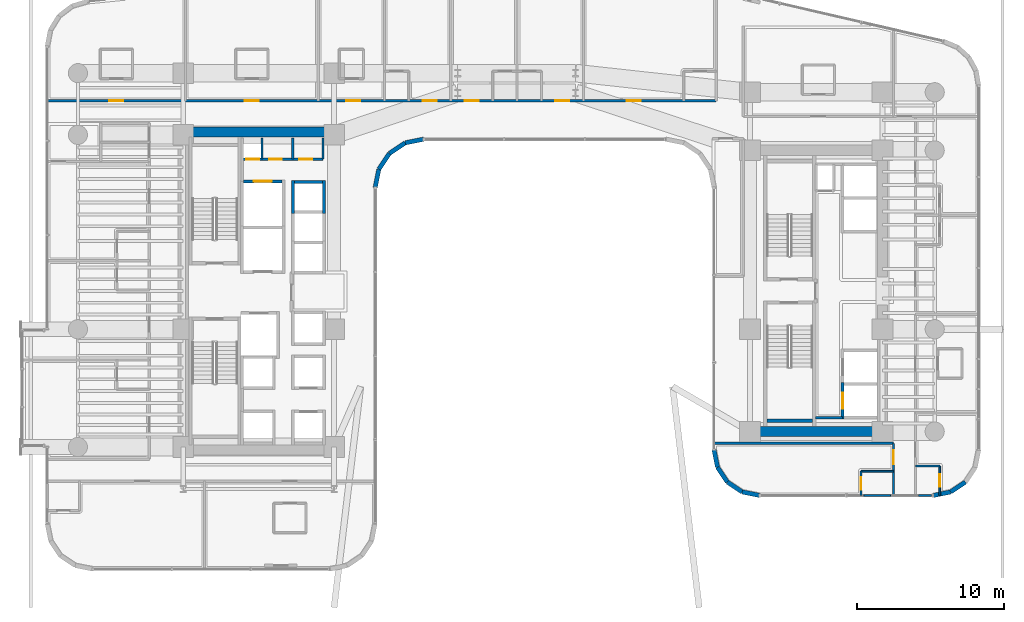
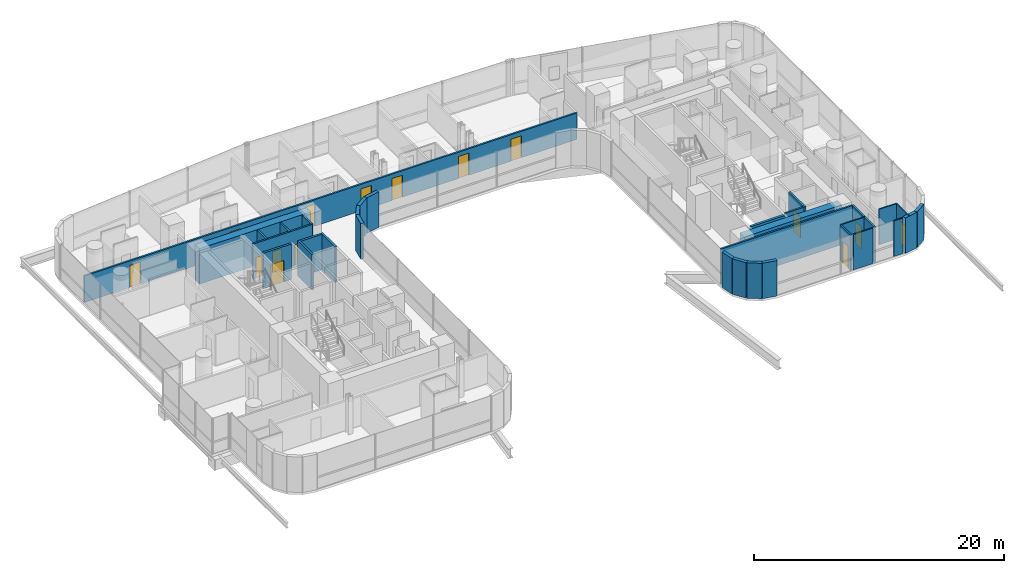
# One storey, part 40 of 50: 32 walls, 15 doors, 15 openings.
"""IFC4 building model written with IfcOpenShell, lengths in metres."""

from ifc_helpers import new_model, si_unit, direction, frame, frame_2d, origin, place, context, subcontext, project, spatial, rectangle, extrude, material, layer, layer_set, type_object, element, fill, save


model = new_model("IFC4")

# Units and contexts
model_context = context("Model", 3, precision=1e-05, world=origin(), true_north=direction((0.0, 1.0)))
body_context = subcontext(model_context, "Body", "Model", "MODEL_VIEW")
ifc_project = project(units=[si_unit("LENGTHUNIT", "METRE"), si_unit("AREAUNIT", "SQUARE_METRE"), si_unit("VOLUMEUNIT", "CUBIC_METRE"), si_unit("PLANEANGLEUNIT", "RADIAN"), si_unit("MASSUNIT", "GRAM", prefix="KILO")], contexts=[model_context])

# Site, building, storey
site_placement = place(None, origin())
site = spatial("IfcSite", under=ifc_project, at=site_placement, CompositionType="ELEMENT")
building_placement = place(site_placement, origin())
building = spatial("IfcBuilding", under=site, at=building_placement, Name="Valdorenza Pilgrim Sanctuary Tower", CompositionType="ELEMENT")
storey_placement = place(building_placement, frame((0.0, 0.0, 26.0)))
storey = spatial("IfcBuildingStorey", under=building, at=storey_placement, Name="L05", CompositionType="ELEMENT", Elevation=26.0)

# Wall, openings, doors
ifc_material_1 = material(Name="Acoustic twin-stud gypsum partition", Category="gypsum")
ifc_layer_1 = layer(ifc_material_1, 0.159912109375, Name="Acoustic twin-stud gypsum partition")
ifc_layer_set_1 = layer_set([ifc_layer_1], Name="Acoustic twin-stud gypsum partition")
wall_type_1 = type_object("IfcWallType", Name="WAL-COR-160", PredefinedType="PARTITIONING", material=ifc_layer_set_1)
wall_1_placement = place(storey_placement, frame((-18.64990234375, 8.949951171875, 0.0), z_axis=(0.0, 0.0, 1.0), x_axis=(1.0, 0.0, 0.0)))
wall_1 = element("IfcWall", 1, at=wall_1_placement, inside=storey, type_object=wall_type_1, Name="L05 Core A North Service South Wall", PredefinedType="PARTITIONING", context=body_context, shape_type="SweptSolid", body=[
    extrude(rectangle(XDim=5.5, YDim=0.159912109375, at=frame_2d((2.75, 0.0))), origin(), (0.0, 0.0, 1.0), 3.4599609375),
])
opening_1_placement = place(wall_1_placement, frame((0.300048828125, 0.0, 0.0)))
opening_1 = element("IfcOpeningElement", 2, at=opening_1_placement, cuts=wall_1, Name="Opening DR-RS1", PredefinedType="OPENING", context=body_context, shape_type="SweptSolid", body=[
    extrude(rectangle(XDim=0.85009765625, YDim=2.050048828125, at=frame_2d((0.425048828125, 1.02490234375))), frame((0.0, 0.0947265625, 0.0), z_axis=(0.0, -1.0, 0.0), x_axis=(1.0, 0.0, 0.0)), (0.0, 0.0, 1.0), 0.189697265625),
])
opening_2_placement = place(wall_1_placement, frame((1.85009765625, 0.0, 0.0)))
opening_2 = element("IfcOpeningElement", 3, at=opening_2_placement, cuts=wall_1, Name="Opening DR-RS1", PredefinedType="OPENING", context=body_context, shape_type="SweptSolid", body=[
    extrude(rectangle(XDim=0.85009765625, YDim=2.050048828125, at=frame_2d((0.425048828125, 1.02490234375))), frame((0.0, 0.0947265625, 0.0), z_axis=(0.0, -1.0, 0.0), x_axis=(1.0, 0.0, 0.0)), (0.0, 0.0, 1.0), 0.189697265625),
])
opening_3_placement = place(wall_1_placement, frame((3.89990234375, 0.0, 0.0)))
opening_3 = element("IfcOpeningElement", 4, at=opening_3_placement, cuts=wall_1, Name="Opening DR-RS1", PredefinedType="OPENING", context=body_context, shape_type="SweptSolid", body=[
    extrude(rectangle(XDim=0.85009765625, YDim=2.050048828125, at=frame_2d((0.425048828125, 1.02490234375))), frame((0.0, 0.0947265625, 0.0), z_axis=(0.0, -1.0, 0.0), x_axis=(1.0, 0.0, 0.0)), (0.0, 0.0, 1.0), 0.189697265625),
])
ifc_material_2 = material(Name="Painted galvanized steel", Category="steel")
door_type_1 = type_object("IfcDoorType", Name="DR-RSR-850", OperationType="NOTDEFINED", PredefinedType="DOOR", material=ifc_material_2)
door_1_placement = place(opening_1_placement, origin())
door_1 = element("IfcDoor", 5, at=door_1_placement, inside=storey, type_object=door_type_1, Name="L05 Core Electrical and Telecom Riser Door", OperationType="SINGLE_SWING_LEFT", OverallHeight=2.050048828125, OverallWidth=0.85009765625, PredefinedType="DOOR", context=body_context, shape_type="SweptSolid", body=[
    extrude(rectangle(XDim=0.85009765625, YDim=2.050048828125, at=frame_2d((0.425048828125, 1.02490234375))), frame((0.0, 0.02490234375, 0.0), z_axis=(0.0, -1.0, 0.0), x_axis=(1.0, 0.0, 0.0)), (0.0, 0.0, 1.0), 0.050048828125),
])
fill(opening_1, door_1)
door_2_placement = place(opening_2_placement, origin())
door_2 = element("IfcDoor", 6, at=door_2_placement, inside=storey, type_object=door_type_1, Name="L05 Housekeeping and Clean Linen Room Door", OperationType="SINGLE_SWING_RIGHT", OverallHeight=2.050048828125, OverallWidth=0.85009765625, PredefinedType="DOOR", context=body_context, shape_type="SweptSolid", body=[
    extrude(rectangle(XDim=0.85009765625, YDim=2.050048828125, at=frame_2d((0.425048828125, 1.02490234375))), frame((0.0, 0.02490234375, 0.0), z_axis=(0.0, -1.0, 0.0), x_axis=(1.0, 0.0, 0.0)), (0.0, 0.0, 1.0), 0.050048828125),
])
fill(opening_2, door_2)
door_3_placement = place(opening_3_placement, origin())
door_3 = element("IfcDoor", 7, at=door_3_placement, inside=storey, type_object=door_type_1, Name="L05 Guest Ice and Vending Pantry Door", OperationType="SINGLE_SWING_LEFT", OverallHeight=2.050048828125, OverallWidth=0.85009765625, PredefinedType="DOOR", context=body_context, shape_type="SweptSolid", body=[
    extrude(rectangle(XDim=0.85009765625, YDim=2.050048828125, at=frame_2d((0.425048828125, 1.02490234375))), frame((0.0, 0.02490234375, 0.0), z_axis=(0.0, -1.0, 0.0), x_axis=(1.0, 0.0, 0.0)), (0.0, 0.0, 1.0), 0.050048828125),
])
fill(opening_3, door_3)

# Walls
for number, where, z_axis, x_axis, name in (
    (8, (-13.14990234375, 8.949951171875, 0.0), (0.0, 0.0, 1.0), (0.0, 1.0, 0.0), "L05 Core A North Service East Wall"),
    (9, (-17.300048828125, 8.949951171875, 0.0), (0.0, 0.0, 1.0), (0.0, 1.0, 0.0), "L05 Core Electrical Riser Wall"),
    (10, (-15.199951171875, 8.949951171875, 0.0), (0.0, 0.0, 1.0), (0.0, 1.0, 0.0), "L05 Core A Housekeeping Split B"),
):
    element("IfcWall", number, at=place(storey_placement, frame(where, z_axis=z_axis, x_axis=x_axis)), inside=storey, type_object=wall_type_1, Name=name, PredefinedType="PARTITIONING", context=body_context, shape_type="SweptSolid", body=[
        extrude(rectangle(XDim=1.429931640625, YDim=0.159912109375, at=frame_2d((0.71484375, 0.0))), origin(), (0.0, 0.0, 1.0), 3.4599609375),
    ])
wall_2_placement = place(storey_placement, frame((20.300048828125, -8.60009765625, 0.0), z_axis=(0.0, 0.0, 1.0), x_axis=(1.0, 0.0, 0.0)))
element("IfcWall", 11, at=wall_2_placement, inside=storey, type_object=wall_type_1, Name="L05 Core B Lift Hall South End Wall", PredefinedType="PARTITIONING", context=body_context, shape_type="SweptSolid", body=[
    extrude(rectangle(XDim=1.820068359375, YDim=0.159912109375, at=frame_2d((0.91015625, 0.0))), origin(), (0.0, 0.0, 1.0), 3.4599609375),
])

# Wall, openings, doors
wall_3_placement = place(storey_placement, frame((-31.889892578125, 12.919921875, 0.0), z_axis=(0.0, 0.0, 1.0), x_axis=(1.0, 0.0, 0.0)))
wall_3 = element("IfcWall", 12, at=wall_3_placement, inside=storey, type_object=wall_type_1, Name="L05 North Corridor Wall", PredefinedType="PARTITIONING", context=body_context, shape_type="SweptSolid", body=[
    extrude(rectangle(XDim=45.43994140625, YDim=0.159912109375, at=frame_2d((22.719970703125, 0.0))), origin(), (0.0, 0.0, 1.0), 2.5830078125),
])
opening_4_placement = place(wall_3_placement, frame((4.22509765625, 0.0, 0.0)))
opening_4 = element("IfcOpeningElement", 13, at=opening_4_placement, cuts=wall_3, Name="Opening DR-UN1", PredefinedType="OPENING", context=body_context, shape_type="SweptSolid", body=[
    extrude(rectangle(XDim=0.949951171875, YDim=2.14990234375, at=frame_2d((0.47509765625, 1.074951171875))), frame((0.0, 0.0947265625, 0.0), z_axis=(0.0, -1.0, 0.0), x_axis=(1.0, 0.0, 0.0)), (0.0, 0.0, 1.0), 0.189697265625),
])
opening_5_placement = place(wall_3_placement, frame((13.429931640625, 0.0, 0.0)))
opening_5 = element("IfcOpeningElement", 14, at=opening_5_placement, cuts=wall_3, Name="Opening DR-UN1", PredefinedType="OPENING", context=body_context, shape_type="SweptSolid", body=[
    extrude(rectangle(XDim=0.949951171875, YDim=2.14990234375, at=frame_2d((0.47509765625, 1.074951171875))), frame((0.0, 0.0947265625, 0.0), z_axis=(0.0, -1.0, 0.0), x_axis=(1.0, 0.0, 0.0)), (0.0, 0.0, 1.0), 0.189697265625),
])
opening_6_placement = place(wall_3_placement, frame((20.31005859375, 0.0, 0.0)))
opening_6 = element("IfcOpeningElement", 15, at=opening_6_placement, cuts=wall_3, Name="Opening DR-UN1", PredefinedType="OPENING", context=body_context, shape_type="SweptSolid", body=[
    extrude(rectangle(XDim=0.949951171875, YDim=2.14990234375, at=frame_2d((0.47509765625, 1.074951171875))), frame((0.0, 0.0947265625, 0.0), z_axis=(0.0, -1.0, 0.0), x_axis=(1.0, 0.0, 0.0)), (0.0, 0.0, 1.0), 0.189697265625),
])
opening_7_placement = place(wall_3_placement, frame((25.51708984375, 0.0, 0.0)))
opening_7 = element("IfcOpeningElement", 16, at=opening_7_placement, cuts=wall_3, Name="Opening DR-UN1", PredefinedType="OPENING", context=body_context, shape_type="SweptSolid", body=[
    extrude(rectangle(XDim=0.949951171875, YDim=2.14990234375, at=frame_2d((0.47509765625, 1.074951171875))), frame((0.0, 0.0947265625, 0.0), z_axis=(0.0, -1.0, 0.0), x_axis=(1.0, 0.0, 0.0)), (0.0, 0.0, 1.0), 0.189697265625),
])
opening_8_placement = place(wall_3_placement, frame((28.373046875, 0.0, 0.0)))
opening_8 = element("IfcOpeningElement", 17, at=opening_8_placement, cuts=wall_3, Name="Opening DR-UN1", PredefinedType="OPENING", context=body_context, shape_type="SweptSolid", body=[
    extrude(rectangle(XDim=0.949951171875, YDim=2.14990234375, at=frame_2d((0.47509765625, 1.074951171875))), frame((0.0, 0.0947265625, 0.0), z_axis=(0.0, -1.0, 0.0), x_axis=(1.0, 0.0, 0.0)), (0.0, 0.0, 1.0), 0.189697265625),
])
opening_9_placement = place(wall_3_placement, frame((34.527099609375, 0.0, 0.0)))
opening_9 = element("IfcOpeningElement", 18, at=opening_9_placement, cuts=wall_3, Name="Opening DR-UN1", PredefinedType="OPENING", context=body_context, shape_type="SweptSolid", body=[
    extrude(rectangle(XDim=0.949951171875, YDim=2.14990234375, at=frame_2d((0.47509765625, 1.074951171875))), frame((0.0, 0.0947265625, 0.0), z_axis=(0.0, -1.0, 0.0), x_axis=(1.0, 0.0, 0.0)), (0.0, 0.0, 1.0), 0.189697265625),
])
opening_10_placement = place(wall_3_placement, frame((39.360107421875, 0.0, 0.0)))
opening_10 = element("IfcOpeningElement", 19, at=opening_10_placement, cuts=wall_3, Name="Opening DR-UN1", PredefinedType="OPENING", context=body_context, shape_type="SweptSolid", body=[
    extrude(rectangle(XDim=0.949951171875, YDim=2.14990234375, at=frame_2d((0.47509765625, 1.074951171875))), frame((0.0, 0.0947265625, 0.0), z_axis=(0.0, -1.0, 0.0), x_axis=(1.0, 0.0, 0.0)), (0.0, 0.0, 1.0), 0.189697265625),
])
ifc_material_3 = material(Name="Solid-core European oak timber", Category="wood")
door_type_2 = type_object("IfcDoorType", Name="DR-UNIT-950", OperationType="NOTDEFINED", PredefinedType="DOOR", material=ifc_material_3)
door_4_placement = place(opening_4_placement, frame((0.949951171875, 0.0, 0.0), z_axis=(0.0, 0.0, 1.0), x_axis=(-1.0, 0.0, 0.0)))
door_4 = element("IfcDoor", 20, at=door_4_placement, inside=storey, type_object=door_type_2, Name="L05 North Guest Room L05-N1 Entrance Door", OperationType="SINGLE_SWING_LEFT", OverallHeight=2.14990234375, OverallWidth=0.949951171875, PredefinedType="DOOR", context=body_context, shape_type="SweptSolid", body=[
    extrude(rectangle(XDim=0.949951171875, YDim=2.14990234375, at=frame_2d((0.47509765625, 1.074951171875))), frame((0.0, 0.02490234375, 0.0), z_axis=(0.0, -1.0, 0.0), x_axis=(1.0, 0.0, 0.0)), (0.0, 0.0, 1.0), 0.050048828125),
])
fill(opening_4, door_4)
door_5_placement = place(opening_5_placement, frame((0.949951171875, 0.0, 0.0), z_axis=(0.0, 0.0, 1.0), x_axis=(-1.0, 0.0, 0.0)))
door_5 = element("IfcDoor", 21, at=door_5_placement, inside=storey, type_object=door_type_2, Name="L05 North Guest Room L05-N2 Entrance Door", OperationType="SINGLE_SWING_LEFT", OverallHeight=2.14990234375, OverallWidth=0.949951171875, PredefinedType="DOOR", context=body_context, shape_type="SweptSolid", body=[
    extrude(rectangle(XDim=0.949951171875, YDim=2.14990234375, at=frame_2d((0.47509765625, 1.074951171875))), frame((0.0, 0.02490234375, 0.0), z_axis=(0.0, -1.0, 0.0), x_axis=(1.0, 0.0, 0.0)), (0.0, 0.0, 1.0), 0.050048828125),
])
fill(opening_5, door_5)
door_6_placement = place(opening_6_placement, frame((0.949951171875, 0.0, 0.0), z_axis=(0.0, 0.0, 1.0), x_axis=(-1.0, 0.0, 0.0)))
door_6 = element("IfcDoor", 22, at=door_6_placement, inside=storey, type_object=door_type_2, Name="L05 North Guest Room L05-N3A Entrance Door", OperationType="SINGLE_SWING_LEFT", OverallHeight=2.14990234375, OverallWidth=0.949951171875, PredefinedType="DOOR", context=body_context, shape_type="SweptSolid", body=[
    extrude(rectangle(XDim=0.949951171875, YDim=2.14990234375, at=frame_2d((0.47509765625, 1.074951171875))), frame((0.0, 0.02490234375, 0.0), z_axis=(0.0, -1.0, 0.0), x_axis=(1.0, 0.0, 0.0)), (0.0, 0.0, 1.0), 0.050048828125),
])
fill(opening_6, door_6)
door_7_placement = place(opening_7_placement, frame((0.949951171875, 0.0, 0.0), z_axis=(0.0, 0.0, 1.0), x_axis=(-1.0, 0.0, 0.0)))
door_7 = element("IfcDoor", 23, at=door_7_placement, inside=storey, type_object=door_type_2, Name="L05 North Guest Room L05-N3B Entrance Door", OperationType="SINGLE_SWING_LEFT", OverallHeight=2.14990234375, OverallWidth=0.949951171875, PredefinedType="DOOR", context=body_context, shape_type="SweptSolid", body=[
    extrude(rectangle(XDim=0.949951171875, YDim=2.14990234375, at=frame_2d((0.47509765625, 1.074951171875))), frame((0.0, 0.02490234375, 0.0), z_axis=(0.0, -1.0, 0.0), x_axis=(1.0, 0.0, 0.0)), (0.0, 0.0, 1.0), 0.050048828125),
])
fill(opening_7, door_7)
door_8_placement = place(opening_8_placement, frame((0.949951171875, 0.0, 0.0), z_axis=(0.0, 0.0, 1.0), x_axis=(-1.0, 0.0, 0.0)))
door_8 = element("IfcDoor", 24, at=door_8_placement, inside=storey, type_object=door_type_2, Name="L05 North Guest Room L05-N4A Entrance Door", OperationType="SINGLE_SWING_LEFT", OverallHeight=2.14990234375, OverallWidth=0.949951171875, PredefinedType="DOOR", context=body_context, shape_type="SweptSolid", body=[
    extrude(rectangle(XDim=0.949951171875, YDim=2.14990234375, at=frame_2d((0.47509765625, 1.074951171875))), frame((0.0, 0.02490234375, 0.0), z_axis=(0.0, -1.0, 0.0), x_axis=(1.0, 0.0, 0.0)), (0.0, 0.0, 1.0), 0.050048828125),
])
fill(opening_8, door_8)
door_9_placement = place(opening_9_placement, frame((0.949951171875, 0.0, 0.0), z_axis=(0.0, 0.0, 1.0), x_axis=(-1.0, 0.0, 0.0)))
door_9 = element("IfcDoor", 25, at=door_9_placement, inside=storey, type_object=door_type_2, Name="L05 North Guest Room L05-N4B Entrance Door", OperationType="SINGLE_SWING_LEFT", OverallHeight=2.14990234375, OverallWidth=0.949951171875, PredefinedType="DOOR", context=body_context, shape_type="SweptSolid", body=[
    extrude(rectangle(XDim=0.949951171875, YDim=2.14990234375, at=frame_2d((0.47509765625, 1.074951171875))), frame((0.0, 0.02490234375, 0.0), z_axis=(0.0, -1.0, 0.0), x_axis=(1.0, 0.0, 0.0)), (0.0, 0.0, 1.0), 0.050048828125),
])
fill(opening_9, door_9)
door_10_placement = place(opening_10_placement, frame((0.949951171875, 0.0, 0.0), z_axis=(0.0, 0.0, 1.0), x_axis=(-1.0, 0.0, 0.0)))
door_10 = element("IfcDoor", 26, at=door_10_placement, inside=storey, type_object=door_type_2, Name="L05 North Guest Room L05-N5 Entrance Door", OperationType="SINGLE_SWING_LEFT", OverallHeight=2.14990234375, OverallWidth=0.949951171875, PredefinedType="DOOR", context=body_context, shape_type="SweptSolid", body=[
    extrude(rectangle(XDim=0.949951171875, YDim=2.14990234375, at=frame_2d((0.47509765625, 1.074951171875))), frame((0.0, 0.02490234375, 0.0), z_axis=(0.0, -1.0, 0.0), x_axis=(1.0, 0.0, 0.0)), (0.0, 0.0, 1.0), 0.050048828125),
])
fill(opening_10, door_10)

# Wall, opening, door
wall_4_placement = place(storey_placement, frame((25.60009765625, -13.889892578125, 0.0), z_axis=(0.0, 0.0, 1.0), x_axis=(0.0, 1.0, 0.0)))
wall_4 = element("IfcWall", 27, at=wall_4_placement, inside=storey, type_object=wall_type_1, Name="L05 Wing B South-East Corridor Wall", PredefinedType="PARTITIONING", context=body_context, shape_type="SweptSolid", body=[
    extrude(rectangle(XDim=3.539794921875, YDim=0.159912109375, at=frame_2d((1.77001953125, 0.0))), origin(), (0.0, 0.0, 1.0), 3.4599609375),
])
opening_11_placement = place(wall_4_placement, frame((2.1201171875, 0.0, 0.0)))
opening_11 = element("IfcOpeningElement", 28, at=opening_11_placement, cuts=wall_4, Name="Opening DR-UN1", PredefinedType="OPENING", context=body_context, shape_type="SweptSolid", body=[
    extrude(rectangle(XDim=0.949951171875, YDim=2.14990234375, at=frame_2d((0.47509765625, 1.074951171875))), frame((0.0, 0.0947265625, 0.0), z_axis=(0.0, -1.0, 0.0), x_axis=(1.0, 0.0, 0.0)), (0.0, 0.0, 1.0), 0.189697265625),
])
door_11_placement = place(opening_11_placement, frame((0.949951171875, 0.0, 0.0), z_axis=(0.0, 0.0, 1.0), x_axis=(-1.0, 0.0, 0.0)))
door_11 = element("IfcDoor", 29, at=door_11_placement, inside=storey, type_object=door_type_2, Name="L05 East South Guest Room L05-ES1 Entrance Door", OperationType="SINGLE_SWING_LEFT", OverallHeight=2.14990234375, OverallWidth=0.949951171875, PredefinedType="DOOR", context=body_context, shape_type="SweptSolid", body=[
    extrude(rectangle(XDim=0.949951171875, YDim=2.14990234375, at=frame_2d((0.47509765625, 1.074951171875))), frame((0.0, 0.02490234375, 0.0), z_axis=(0.0, -1.0, 0.0), x_axis=(1.0, 0.0, 0.0)), (0.0, 0.0, 1.0), 0.050048828125),
])
fill(opening_11, door_11)

# Walls
wall_5_placement = place(storey_placement, frame((13.409912109375, -10.35009765625, 0.0), z_axis=(0.0, 0.0, 1.0), x_axis=(1.0, 0.0, 0.0)))
element("IfcWall", 30, at=wall_5_placement, inside=storey, type_object=wall_type_1, Name="L05 Wing B South North Wall", PredefinedType="PARTITIONING", context=body_context, shape_type="SweptSolid", body=[
    extrude(rectangle(XDim=12.190185546875, YDim=0.159912109375, at=frame_2d((6.09521484375, 0.0))), origin(), (0.0, 0.0, 1.0), 3.4599609375),
])
ifc_material_4 = material(Name="Concrete C60/75", Category="concrete")
ifc_layer_2 = layer(ifc_material_4, 0.699951171875, Name="Concrete C60/75")
ifc_layer_set_2 = layer_set([ifc_layer_2], Name="Concrete C60/75")
wall_type_2 = type_object("IfcWallType", Name="WAL-COR-700", PredefinedType="SHEAR", material=ifc_layer_set_2)
wall_6_placement = place(storey_placement, frame((-22.64990234375, 10.800048828125, 0.0), z_axis=(0.0, 0.0, 1.0), x_axis=(1.0, 0.0, 0.0)))
element("IfcWall", 31, at=wall_6_placement, inside=storey, type_object=wall_type_2, Name="L05 Split Core A Shear Wall N", PredefinedType="SHEAR", context=body_context, shape_type="SweptSolid", body=[
    extrude(rectangle(XDim=10.25, YDim=0.699951171875, at=frame_2d((5.125, 0.0))), origin(), (0.0, 0.0, 1.0), 3.4599609375),
])
wall_7_placement = place(storey_placement, frame((15.85009765625, -9.550048828125, 0.0), z_axis=(0.0, 0.0, 1.0), x_axis=(1.0, 0.0, 0.0)))
element("IfcWall", 32, at=wall_7_placement, inside=storey, type_object=wall_type_2, Name="L05 Split Core B Shear Wall S", PredefinedType="SHEAR", context=body_context, shape_type="SweptSolid", body=[
    extrude(rectangle(XDim=9.0, YDim=0.699951171875, at=frame_2d((4.5, 0.0))), origin(), (0.0, 0.0, 1.0), 3.4599609375),
])
ifc_material_5 = material(Name="Honed travertine limestone", Category="masonry")
ifc_layer_3 = layer(ifc_material_5, 0.300048828125, Name="Honed travertine limestone")
ifc_layer_set_3 = layer_set([ifc_layer_3], Name="Honed travertine limestone")
wall_type_3 = type_object("IfcWallType", Name="WAL-EXT-300", PredefinedType="SOLIDWALL", material=ifc_layer_set_3)
wall_8_placement = place(storey_placement, frame((30.4833984375, -12.9833984375, 0.0), z_axis=(0.0, 0.0, 1.0), x_axis=(-0.831426265255, -0.555635100982, 0.0)))
element("IfcWall", 33, at=wall_8_placement, inside=storey, type_object=wall_type_3, Name="L05 Rounded Wind-Corner Stone Pier 24", PredefinedType="SOLIDWALL", context=body_context, shape_type="SweptSolid", body=[
    extrude(rectangle(XDim=1.204833984375, YDim=0.300048828125, at=frame_2d((0.6025390625, 0.0))), origin(), (0.0, 0.0, 1.0), 3.4599609375),
])
for number, where, z_axis, x_axis, name in (
    (34, (29.481689453125, -13.65283203125, 0.0), (0.0, 0.0, 1.0), (-0.980804027463, -0.194996050505, 0.0), "L05 Rounded Wind-Corner Stone Pier 25"),
    (35, (16.5107421875, -13.889892578125, 0.0), (0.0, 0.0, 1.0), (-0.980804027463, 0.194996050505, 0.0), "L05 Rounded Wind-Corner Stone Pier 27"),
):
    element("IfcWall", number, at=place(storey_placement, frame(where, z_axis=z_axis, x_axis=x_axis)), inside=storey, type_object=wall_type_3, Name=name, PredefinedType="SOLIDWALL", context=body_context, shape_type="SweptSolid", body=[
        extrude(rectangle(XDim=1.2158203125, YDim=0.300048828125, at=frame_2d((0.60791015625, 0.0))), origin(), (0.0, 0.0, 1.0), 3.4599609375),
    ])
for number, where, z_axis, x_axis, name in (
    (36, (15.318359375, -13.65283203125, 0.0), (0.0, 0.0, 1.0), (-0.831426265255, 0.555635100982, 0.0), "L05 Rounded Wind-Corner Stone Pier 28"),
    (37, (14.316650390625, -12.9833984375, 0.0), (0.0, 0.0, 1.0), (-0.555635100982, 0.831426265255, 0.0), "L05 Rounded Wind-Corner Stone Pier 29"),
):
    element("IfcWall", number, at=place(storey_placement, frame(where, z_axis=z_axis, x_axis=x_axis)), inside=storey, type_object=wall_type_3, Name=name, PredefinedType="SOLIDWALL", context=body_context, shape_type="SweptSolid", body=[
        extrude(rectangle(XDim=1.204833984375, YDim=0.300048828125, at=frame_2d((0.6025390625, 0.0))), origin(), (0.0, 0.0, 1.0), 3.4599609375),
    ])
wall_9_placement = place(storey_placement, frame((13.647216796875, -11.981689453125, 0.0), z_axis=(0.0, 0.0, 1.0), x_axis=(-0.195189223115, 0.980765602568, 0.0)))
element("IfcWall", 38, at=wall_9_placement, inside=storey, type_object=wall_type_3, Name="L05 Rounded Wind-Corner Stone Pier 30", PredefinedType="SOLIDWALL", context=body_context, shape_type="SweptSolid", body=[
    extrude(rectangle(XDim=1.2158203125, YDim=0.300048828125, at=frame_2d((0.60791015625, 0.0))), origin(), (0.0, 0.0, 1.0), 3.4599609375),
])
wall_10_placement = place(storey_placement, frame((-6.310791015625, 10.31005859375, 0.0), z_axis=(0.0, 0.0, 1.0), x_axis=(-0.980778058848, -0.195126623715, 0.0)))
element("IfcWall", 39, at=wall_10_placement, inside=storey, type_object=wall_type_3, Name="L05 Rounded Wind-Corner Stone Pier 37", PredefinedType="SOLIDWALL", context=body_context, shape_type="SweptSolid", body=[
    extrude(rectangle(XDim=1.28125, YDim=0.300048828125, at=frame_2d((0.640625, 0.0))), origin(), (0.0, 0.0, 1.0), 3.4599609375),
])
wall_11_placement = place(storey_placement, frame((-7.5673828125, 10.06005859375, 0.0), z_axis=(0.0, 0.0, 1.0), x_axis=(-0.831497739511, -0.555528135371, 0.0)))
element("IfcWall", 40, at=wall_11_placement, inside=storey, type_object=wall_type_3, Name="L05 Rounded Wind-Corner Stone Pier 38", PredefinedType="SOLIDWALL", context=body_context, shape_type="SweptSolid", body=[
    extrude(rectangle(XDim=1.29248046875, YDim=0.300048828125, at=frame_2d((0.646240234375, 0.0))), origin(), (0.0, 0.0, 1.0), 3.4599609375),
])
wall_12_placement = place(storey_placement, frame((-8.64208984375, 9.342041015625, 0.0), z_axis=(0.0, 0.0, 1.0), x_axis=(-0.555615398575, -0.831439431869, 0.0)))
element("IfcWall", 41, at=wall_12_placement, inside=storey, type_object=wall_type_3, Name="L05 Rounded Wind-Corner Stone Pier 39", PredefinedType="SOLIDWALL", context=body_context, shape_type="SweptSolid", body=[
    extrude(rectangle(XDim=1.292236328125, YDim=0.300048828125, at=frame_2d((0.64599609375, 0.0))), origin(), (0.0, 0.0, 1.0), 3.4599609375),
])
wall_13_placement = place(storey_placement, frame((-9.360107421875, 8.267578125, 0.0), z_axis=(0.0, 0.0, 1.0), x_axis=(-0.195090163074, -0.980785312019, 0.0)))
element("IfcWall", 42, at=wall_13_placement, inside=storey, type_object=wall_type_3, Name="L05 Rounded Wind-Corner Stone Pier 40", PredefinedType="SOLIDWALL", context=body_context, shape_type="SweptSolid", body=[
    extrude(rectangle(XDim=1.281494140625, YDim=0.300048828125, at=frame_2d((0.640625, 0.0))), origin(), (0.0, 0.0, 1.0), 3.4599609375),
])
ifc_material_6 = material(Name="Moisture-resistant gypsum partition", Category="gypsum")
ifc_layer_4 = layer(ifc_material_6, 0.1201171875, Name="Moisture-resistant gypsum partition")
ifc_layer_set_4 = layer_set([ifc_layer_4], Name="Moisture-resistant gypsum partition")
wall_type_4 = type_object("IfcWallType", Name="WAL-INT-120", PredefinedType="PARTITIONING", material=ifc_layer_set_4)
wall_14_placement = place(storey_placement, frame((23.39990234375, -12.239990234375, 0.0), z_axis=(0.0, 0.0, 1.0), x_axis=(1.0, 0.0, 0.0)))
element("IfcWall", 43, at=wall_14_placement, inside=storey, type_object=wall_type_4, Name="L05 East South Guest Room L05-ES1 En-suite North Wall", PredefinedType="PARTITIONING", context=body_context, shape_type="SweptSolid", body=[
    extrude(rectangle(XDim=2.2001953125, YDim=0.1201171875, at=frame_2d((1.10009765625, 0.0))), origin(), (0.0, 0.0, 1.0), 3.4599609375),
])

# Wall, opening, door
wall_15_placement = place(storey_placement, frame((23.39990234375, -13.889892578125, 0.0), z_axis=(0.0, 0.0, 1.0), x_axis=(0.0, 1.0, 0.0)))
wall_15 = element("IfcWall", 44, at=wall_15_placement, inside=storey, type_object=wall_type_4, Name="L05 East South Guest Room L05-ES1 En-suite Door Wall", PredefinedType="PARTITIONING", context=body_context, shape_type="SweptSolid", body=[
    extrude(rectangle(XDim=1.64990234375, YDim=0.1201171875, at=frame_2d((0.824951171875, 0.0))), origin(), (0.0, 0.0, 1.0), 3.4599609375),
])
opening_12_placement = place(wall_15_placement, frame((0.39990234375, 0.0, 0.0)))
opening_12 = element("IfcOpeningElement", 45, at=opening_12_placement, cuts=wall_15, Name="Opening DR-WC1", PredefinedType="OPENING", context=body_context, shape_type="SweptSolid", body=[
    extrude(rectangle(XDim=0.85009765625, YDim=2.10009765625, at=frame_2d((0.425048828125, 1.050048828125))), frame((0.0, 0.074951171875, 0.0), z_axis=(0.0, -1.0, 0.0), x_axis=(1.0, 0.0, 0.0)), (0.0, 0.0, 1.0), 0.14990234375),
])
ifc_material_7 = material(Name="Moisture-resistant lacquered timber", Category="wood")
door_type_3 = type_object("IfcDoorType", Name="DR-BATH-850", OperationType="NOTDEFINED", PredefinedType="DOOR", material=ifc_material_7)
door_12_placement = place(opening_12_placement, origin())
door_12 = element("IfcDoor", 46, at=door_12_placement, inside=storey, type_object=door_type_3, Name="L05 East South Guest Room L05-ES1 En-suite Bathroom Door", OperationType="SINGLE_SWING_RIGHT", OverallHeight=2.10009765625, OverallWidth=0.85009765625, PredefinedType="DOOR", context=body_context, shape_type="SweptSolid", body=[
    extrude(rectangle(XDim=0.85009765625, YDim=2.10009765625, at=frame_2d((0.425048828125, 1.050048828125))), frame((0.0, 0.02490234375, 0.0), z_axis=(0.0, -1.0, 0.0), x_axis=(1.0, 0.0, 0.0)), (0.0, 0.0, 1.0), 0.050048828125),
])
fill(opening_12, door_12)

# Walls
wall_16_placement = place(storey_placement, frame((23.580078125, -13.889892578125, 0.0), z_axis=(0.0, 0.0, 1.0), x_axis=(1.0, 0.0, 0.0)))
element("IfcWall", 47, at=wall_16_placement, inside=storey, type_object=wall_type_4, Name="L05 WB-SG1-ENS Enclosure Wall S", PredefinedType="PARTITIONING", context=body_context, shape_type="SweptSolid", body=[
    extrude(rectangle(XDim=1.81982421875, YDim=0.1201171875, at=frame_2d((0.909912109375, 0.0))), origin(), (0.0, 0.0, 1.0), 3.4599609375),
])
wall_17_placement = place(storey_placement, frame((27.10009765625, -11.889892578125, 0.0), z_axis=(0.0, 0.0, 1.0), x_axis=(1.0, 0.0, 0.0)))
element("IfcWall", 48, at=wall_17_placement, inside=storey, type_object=wall_type_4, Name="L05 East Sanctuary Guest Room L05-EG1 En-suite North Wall", PredefinedType="PARTITIONING", context=body_context, shape_type="SweptSolid", body=[
    extrude(rectangle(XDim=1.64990234375, YDim=0.1201171875, at=frame_2d((0.824951171875, 0.0))), origin(), (0.0, 0.0, 1.0), 3.4599609375),
])

# Wall, opening, door
wall_18_placement = place(storey_placement, frame((28.75, -13.889892578125, 0.0), z_axis=(0.0, 0.0, 1.0), x_axis=(0.0, 1.0, 0.0)))
wall_18 = element("IfcWall", 49, at=wall_18_placement, inside=storey, type_object=wall_type_4, Name="L05 East Sanctuary Guest Room L05-EG1 En-suite Door Wall", PredefinedType="PARTITIONING", context=body_context, shape_type="SweptSolid", body=[
    extrude(rectangle(XDim=2.0, YDim=0.1201171875, at=frame_2d((1.0, 0.0))), origin(), (0.0, 0.0, 1.0), 3.4599609375),
])
opening_13_placement = place(wall_18_placement, frame((0.574951171875, 0.0, 0.0)))
opening_13 = element("IfcOpeningElement", 50, at=opening_13_placement, cuts=wall_18, Name="Opening DR-WC1", PredefinedType="OPENING", context=body_context, shape_type="SweptSolid", body=[
    extrude(rectangle(XDim=0.85009765625, YDim=2.10009765625, at=frame_2d((0.425048828125, 1.050048828125))), frame((0.0, 0.074951171875, 0.0), z_axis=(0.0, -1.0, 0.0), x_axis=(1.0, 0.0, 0.0)), (0.0, 0.0, 1.0), 0.14990234375),
])
door_13_placement = place(opening_13_placement, origin())
door_13 = element("IfcDoor", 51, at=door_13_placement, inside=storey, type_object=door_type_3, Name="L05 East Sanctuary Guest Room L05-EG1 En-suite Bathroom Door", OperationType="SINGLE_SWING_LEFT", OverallHeight=2.10009765625, OverallWidth=0.85009765625, PredefinedType="DOOR", context=body_context, shape_type="SweptSolid", body=[
    extrude(rectangle(XDim=0.85009765625, YDim=2.10009765625, at=frame_2d((0.425048828125, 1.050048828125))), frame((0.0, 0.02490234375, 0.0), z_axis=(0.0, -1.0, 0.0), x_axis=(1.0, 0.0, 0.0)), (0.0, 0.0, 1.0), 0.050048828125),
])
fill(opening_13, door_13)

# Wall
wall_19_placement = place(storey_placement, frame((27.300048828125, -13.889892578125, 0.0), z_axis=(0.0, 0.0, 1.0), x_axis=(1.0, 0.0, 0.0)))
element("IfcWall", 52, at=wall_19_placement, inside=storey, type_object=wall_type_4, Name="L05 WB-EG1-ENS Enclosure Wall S", PredefinedType="PARTITIONING", context=body_context, shape_type="SweptSolid", body=[
    extrude(rectangle(XDim=0.86669921875, YDim=0.1201171875, at=frame_2d((0.433349609375, 0.0))), origin(), (0.0, 0.0, 1.0), 3.4599609375),
])

# Wall, opening, door
ifc_material_8 = material(Name="Autoclaved aerated concrete blockwork", Category="masonry")
ifc_layer_5 = layer(ifc_material_8, 0.199951171875, Name="Autoclaved aerated concrete blockwork")
ifc_layer_set_5 = layer_set([ifc_layer_5], Name="Autoclaved aerated concrete blockwork")
wall_type_5 = type_object("IfcWallType", Name="WAL-SHF-200", PredefinedType="MOVABLE", material=ifc_layer_set_5)
wall_20_placement = place(storey_placement, frame((-18.550048828125, 7.449951171875, 0.0), z_axis=(0.0, 0.0, 1.0), x_axis=(1.0, 0.0, 0.0)))
wall_20 = element("IfcWall", 53, at=wall_20_placement, inside=storey, type_object=wall_type_5, Name="L05 Lift SVL-01 Hoistway Wall North", PredefinedType="MOVABLE", context=body_context, shape_type="SweptSolid", body=[
    extrude(rectangle(XDim=2.60009765625, YDim=0.199951171875, at=frame_2d((1.300048828125, 0.0))), origin(), (0.0, 0.0, 1.0), 3.4599609375),
])
opening_14_placement = place(wall_20_placement, frame((0.699951171875, 0.0, 0.0)))
opening_14 = element("IfcOpeningElement", 54, at=opening_14_placement, cuts=wall_20, Name="Opening LD-02", PredefinedType="OPENING", context=body_context, shape_type="SweptSolid", body=[
    extrude(rectangle(XDim=1.199951171875, YDim=2.10009765625, at=frame_2d((0.60009765625, 1.050048828125))), frame((0.0, 0.11474609375, 0.0), z_axis=(0.0, -1.0, 0.0), x_axis=(1.0, 0.0, 0.0)), (0.0, 0.0, 1.0), 0.229736328125),
])
ifc_material_9 = material(Name="Brushed stainless steel Grade 316", Category="steel")
door_type_4 = type_object("IfcDoorType", Name="DR-LFT-1200", OperationType="DOUBLE_DOOR_SLIDING", PredefinedType="DOOR", material=ifc_material_9)
door_14_placement = place(opening_14_placement, origin())
door_14 = element("IfcDoor", 55, at=door_14_placement, inside=storey, type_object=door_type_4, Name="L05 Lift SVL-01 Sliding Landing Door", OperationType="DOUBLE_DOOR_SLIDING", OverallHeight=2.10009765625, OverallWidth=1.199951171875, PredefinedType="DOOR", context=body_context, shape_type="SweptSolid", body=[
    extrude(rectangle(XDim=1.199951171875, YDim=2.10009765625, at=frame_2d((0.60009765625, 1.050048828125))), frame((0.0, 0.02490234375, 0.0), z_axis=(0.0, -1.0, 0.0), x_axis=(1.0, 0.0, 0.0)), (0.0, 0.0, 1.0), 0.050048828125),
])
fill(opening_14, door_14)

wall_21_placement = place(storey_placement, frame((22.14990234375, -8.699951171875, 0.0), z_axis=(0.0, 0.0, 1.0), x_axis=(0.0, 1.0, 0.0)))
wall_21 = element("IfcWall", 56, at=wall_21_placement, inside=storey, type_object=wall_type_5, Name="L05 Lift PL-03 Hoistway Wall West", PredefinedType="MOVABLE", context=body_context, shape_type="SweptSolid", body=[
    extrude(rectangle(XDim=2.474853515625, YDim=0.199951171875, at=frame_2d((1.2373046875, 0.0))), origin(), (0.0, 0.0, 1.0), 3.4599609375),
])
opening_15_placement = place(wall_21_placement, frame((0.6875, 0.0, 0.0)))
opening_15 = element("IfcOpeningElement", 57, at=opening_15_placement, cuts=wall_21, Name="Opening LD-01", PredefinedType="OPENING", context=body_context, shape_type="SweptSolid", body=[
    extrude(rectangle(XDim=1.10009765625, YDim=2.10009765625, at=frame_2d((0.550048828125, 1.050048828125))), frame((0.0, 0.11474609375, 0.0), z_axis=(0.0, -1.0, 0.0), x_axis=(1.0, 0.0, 0.0)), (0.0, 0.0, 1.0), 0.229736328125),
])
door_type_5 = type_object("IfcDoorType", Name="DR-LFT-1100", OperationType="DOUBLE_DOOR_SLIDING", PredefinedType="DOOR", material=ifc_material_9)
door_15_placement = place(opening_15_placement, origin())
door_15 = element("IfcDoor", 58, at=door_15_placement, inside=storey, type_object=door_type_5, Name="L05 Lift PL-03 Sliding Landing Door", OperationType="DOUBLE_DOOR_SLIDING", OverallHeight=2.10009765625, OverallWidth=1.10009765625, PredefinedType="DOOR", context=body_context, shape_type="SweptSolid", body=[
    extrude(rectangle(XDim=1.10009765625, YDim=2.10009765625, at=frame_2d((0.550048828125, 1.050048828125))), frame((0.0, 0.02490234375, 0.0), z_axis=(0.0, -1.0, 0.0), x_axis=(1.0, 0.0, 0.0)), (0.0, 0.0, 1.0), 0.050048828125),
])
fill(opening_15, door_15)

# Walls
for number, where, z_axis, x_axis, name in (
    (59, (-15.199951171875, 5.25, 0.0), (0.0, 0.0, 1.0), (0.0, 1.0, 0.0), "L05 Lift PL-10 Hoistway Wall West"),
    (60, (-13.080078125, 5.25, 0.0), (0.0, 0.0, 1.0), (0.0, 1.0, 0.0), "L05 Lift PL-10 Hoistway Wall East"),
):
    element("IfcWall", number, at=place(storey_placement, frame(where, z_axis=z_axis, x_axis=x_axis)), inside=storey, type_object=wall_type_5, Name=name, PredefinedType="MOVABLE", context=body_context, shape_type="SweptSolid", body=[
        extrude(rectangle(XDim=2.25, YDim=0.199951171875, at=frame_2d((1.125, 0.0))), origin(), (0.0, 0.0, 1.0), 3.4599609375),
    ])
wall_22_placement = place(storey_placement, frame((-15.10009765625, 7.39990234375, 0.0), z_axis=(0.0, 0.0, 1.0), x_axis=(1.0, 0.0, 0.0)))
element("IfcWall", 61, at=wall_22_placement, inside=storey, type_object=wall_type_5, Name="L05 Lift PL-10 Hoistway Wall North", PredefinedType="MOVABLE", context=body_context, shape_type="SweptSolid", body=[
    extrude(rectangle(XDim=1.920166015625, YDim=0.199951171875, at=frame_2d((0.9599609375, 0.0))), origin(), (0.0, 0.0, 1.0), 3.4599609375),
])
ifc_material_10 = material(Name="Concrete C40/50", Category="concrete")
ifc_layer_6 = layer(ifc_material_10, 0.219970703125, Name="Concrete C40/50")
ifc_layer_set_6 = layer_set([ifc_layer_6], Name="Concrete C40/50")
wall_type_6 = type_object("IfcWallType", Name="WAL-STR-SHF-220", PredefinedType="SHEAR", material=ifc_layer_set_6)
wall_23_placement = place(storey_placement, frame((17.0, -8.81005859375, 0.0), z_axis=(0.0, 0.0, 1.0), x_axis=(1.0, 0.0, 0.0)))
element("IfcWall", 62, at=wall_23_placement, inside=storey, type_object=wall_type_6, Name="L05 ST-B2 Structural Stairwell Wall S", PredefinedType="SHEAR", context=body_context, shape_type="SweptSolid", body=[
    extrude(rectangle(XDim=3.110107421875, YDim=0.219970703125, at=frame_2d((1.55517578125, 0.0))), origin(), (0.0, 0.0, 1.0), 3.4599609375),
])

save(model, "model.ifc")
